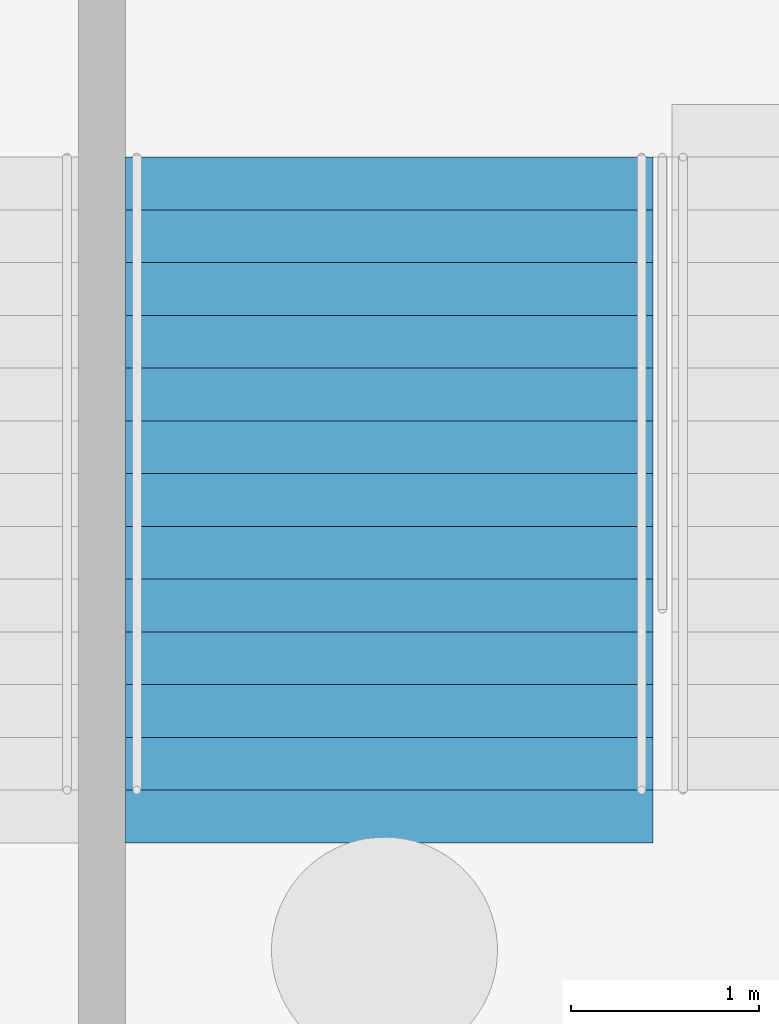
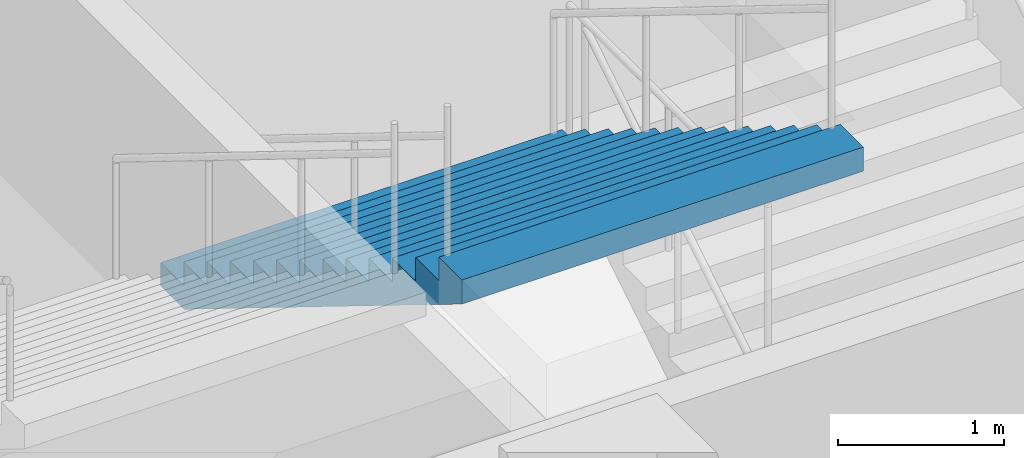
# One storey, part 104 of 115: 1 stair flight, 1 element without a shape of its own.
"""IFC4 building model written with IfcOpenShell, lengths in metres."""

from ifc_helpers import new_model, si_unit, direction, frame, origin, place, context, subcontext, project, spatial, faceted_brep, material, type_object, element, aggregate, save


model = new_model("IFC4")

# Units and contexts
model_context = context("Model", 3, precision=1e-05, world=origin(), true_north=direction((0.0, 1.0)))
body_context = subcontext(model_context, "Body", "Model", "MODEL_VIEW")
ifc_project = project(units=[si_unit("LENGTHUNIT", "METRE"), si_unit("AREAUNIT", "SQUARE_METRE"), si_unit("VOLUMEUNIT", "CUBIC_METRE"), si_unit("PLANEANGLEUNIT", "RADIAN"), si_unit("MASSUNIT", "GRAM", prefix="KILO")], contexts=[model_context])

# Site, building, storey
site_placement = place(None, origin())
site = spatial("IfcSite", under=ifc_project, at=site_placement, CompositionType="ELEMENT")
building_placement = place(site_placement, origin())
building = spatial("IfcBuilding", under=site, at=building_placement, Name="Ogive Plaza Stadium", CompositionType="ELEMENT")
storey_placement = place(building_placement, frame((0.0, 0.0, -4.5)))
storey = spatial("IfcBuildingStorey", under=building, at=storey_placement, Name="B1", CompositionType="ELEMENT", Elevation=-4.5)

# Stair, stair flight
ifc_material_1 = material(Name="Concrete C40/50", Category="concrete")
stair_type = type_object("IfcStairType", Name="Exit stair", PredefinedType="STRAIGHT_RUN_STAIR", material=ifc_material_1)
stair_placement = place(storey_placement, origin())
stair = element("IfcStair", 1, at=stair_placement, inside=storey, type_object=stair_type, Name="Exit stair ST36A B1 to L00", PredefinedType="STRAIGHT_RUN_STAIR")
ifc_material_2 = material(Name="Concrete C40/50", Category="concrete")
stair_flight_type = type_object("IfcStairFlightType", Name="Exit stair flight", PredefinedType="STRAIGHT", material=ifc_material_2)
stair_flight_placement = place(storey_placement, frame((21.925048828125, 98.2099609375, 2.25), z_axis=(0.0, 0.0, 1.0), x_axis=(0.0, -1.0, 0.0)))
stair_flight = element("IfcStairFlight", 2, at=stair_flight_placement, type_object=stair_flight_type, Name="ST36A flight 2", NumberOfRisers=13, NumberOfTreads=12, PredefinedType="STRAIGHT", RiserHeight=0.173076923, TreadLength=0.28, context=body_context, shape_type="Brep", body=[
    faceted_brep([(0.28515625, -1.39990234375, 0.0), (3.639892578125, -1.39990234375, 2.07373046875), (3.639892578125, -1.39990234375, 2.25), (3.360107421875, -1.39990234375, 2.25), (3.360107421875, -1.39990234375, 2.076904296875), (3.080078125, -1.39990234375, 2.076904296875), (3.080078125, -1.39990234375, 1.90380859375), (2.800048828125, -1.39990234375, 1.90380859375), (2.800048828125, -1.39990234375, 1.730712890625), (2.52001953125, -1.39990234375, 1.730712890625), (2.52001953125, -1.39990234375, 1.5576171875), (2.239990234375, -1.39990234375, 1.5576171875), (2.239990234375, -1.39990234375, 1.384521484375), (1.9599609375, -1.39990234375, 1.384521484375), (1.9599609375, -1.39990234375, 1.21142578125), (1.679931640625, -1.39990234375, 1.21142578125), (1.679931640625, -1.39990234375, 1.03857421875), (1.39990234375, -1.39990234375, 1.03857421875), (1.39990234375, -1.39990234375, 0.865478515625), (1.1201171875, -1.39990234375, 0.865478515625), (1.1201171875, -1.39990234375, 0.6923828125), (0.840087890625, -1.39990234375, 0.6923828125), (0.840087890625, -1.39990234375, 0.519287109375), (0.56005859375, -1.39990234375, 0.519287109375), (0.56005859375, -1.39990234375, 0.34619140625), (0.280029296875, -1.39990234375, 0.34619140625), (0.280029296875, -1.39990234375, 0.173095703125), (0.0, -1.39990234375, 0.173095703125), (0.0, -1.39990234375, 0.0), (0.0, 1.39990234375, 0.0), (0.0, 1.39990234375, 0.173095703125), (0.280029296875, 1.39990234375, 0.173095703125), (0.280029296875, 1.39990234375, 0.34619140625), (0.56005859375, 1.39990234375, 0.34619140625), (0.56005859375, 1.39990234375, 0.519287109375), (0.840087890625, 1.39990234375, 0.519287109375), (0.840087890625, 1.39990234375, 0.6923828125), (1.1201171875, 1.39990234375, 0.6923828125), (1.1201171875, 1.39990234375, 0.865478515625), (1.39990234375, 1.39990234375, 0.865478515625), (1.39990234375, 1.39990234375, 1.03857421875), (1.679931640625, 1.39990234375, 1.03857421875), (1.679931640625, 1.39990234375, 1.21142578125), (1.9599609375, 1.39990234375, 1.21142578125), (1.9599609375, 1.39990234375, 1.384521484375), (2.239990234375, 1.39990234375, 1.384521484375), (2.239990234375, 1.39990234375, 1.5576171875), (2.52001953125, 1.39990234375, 1.5576171875), (2.52001953125, 1.39990234375, 1.730712890625), (2.800048828125, 1.39990234375, 1.730712890625), (2.800048828125, 1.39990234375, 1.90380859375), (3.080078125, 1.39990234375, 1.90380859375), (3.080078125, 1.39990234375, 2.076904296875), (3.360107421875, 1.39990234375, 2.076904296875), (3.360107421875, 1.39990234375, 2.25), (3.639892578125, 1.39990234375, 2.25), (3.639892578125, 1.39990234375, 2.07373046875), (0.28515625, 1.39990234375, 0.0), (0.28515625, -1.0888671875, 0.0), (3.639892578125, -1.0888671875, 2.07373046875), (0.28515625, -0.77783203125, 0.0), (3.639892578125, -0.77783203125, 2.07373046875), (0.28515625, -0.466796875, 0.0), (3.639892578125, -0.466796875, 2.07373046875), (0.28515625, -0.155517578125, 0.0), (3.639892578125, -0.155517578125, 2.07373046875), (0.28515625, 0.155517578125, 0.0), (3.639892578125, 0.155517578125, 2.07373046875), (0.28515625, 0.466796875, 0.0), (3.639892578125, 0.466796875, 2.07373046875), (0.28515625, 0.77783203125, 0.0), (3.639892578125, 0.77783203125, 2.07373046875), (0.28515625, 1.0888671875, 0.0), (3.639892578125, 1.0888671875, 2.07373046875), (3.639892578125, -1.0888671875, 2.25), (3.639892578125, -0.77783203125, 2.25), (3.639892578125, -0.466796875, 2.25), (3.639892578125, -0.155517578125, 2.25), (3.639892578125, 0.155517578125, 2.25), (3.639892578125, 0.466796875, 2.25), (3.639892578125, 0.77783203125, 2.25), (3.639892578125, 1.0888671875, 2.25), (3.360107421875, -1.0888671875, 2.25), (3.360107421875, -0.77783203125, 2.25), (3.360107421875, -0.466796875, 2.25), (3.360107421875, -0.155517578125, 2.25), (3.360107421875, 0.155517578125, 2.25), (3.360107421875, 0.466796875, 2.25), (3.360107421875, 0.77783203125, 2.25), (3.360107421875, 1.0888671875, 2.25), (3.360107421875, -1.0888671875, 2.076904296875), (3.360107421875, -0.77783203125, 2.076904296875), (3.360107421875, -0.466796875, 2.076904296875), (3.360107421875, -0.155517578125, 2.076904296875), (3.360107421875, 0.155517578125, 2.076904296875), (3.360107421875, 0.466796875, 2.076904296875), (3.360107421875, 0.77783203125, 2.076904296875), (3.360107421875, 1.0888671875, 2.076904296875), (3.080078125, -1.0888671875, 2.076904296875), (3.080078125, -0.77783203125, 2.076904296875), (3.080078125, -0.466796875, 2.076904296875), (3.080078125, -0.155517578125, 2.076904296875), (3.080078125, 0.155517578125, 2.076904296875), (3.080078125, 0.466796875, 2.076904296875), (3.080078125, 0.77783203125, 2.076904296875), (3.080078125, 1.0888671875, 2.076904296875), (3.080078125, -1.0888671875, 1.90380859375), (3.080078125, -0.77783203125, 1.90380859375), (3.080078125, -0.466796875, 1.90380859375), (3.080078125, -0.155517578125, 1.90380859375), (3.080078125, 0.155517578125, 1.90380859375), (3.080078125, 0.466796875, 1.90380859375), (3.080078125, 0.77783203125, 1.90380859375), (3.080078125, 1.0888671875, 1.90380859375), (2.800048828125, -1.0888671875, 1.90380859375), (2.800048828125, -0.77783203125, 1.90380859375), (2.800048828125, -0.466796875, 1.90380859375), (2.800048828125, -0.155517578125, 1.90380859375), (2.800048828125, 0.155517578125, 1.90380859375), (2.800048828125, 0.466796875, 1.90380859375), (2.800048828125, 0.77783203125, 1.90380859375), (2.800048828125, 1.0888671875, 1.90380859375), (2.800048828125, -1.0888671875, 1.730712890625), (2.800048828125, -0.77783203125, 1.730712890625), (2.800048828125, -0.466796875, 1.730712890625), (2.800048828125, -0.155517578125, 1.730712890625), (2.800048828125, 0.155517578125, 1.730712890625), (2.800048828125, 0.466796875, 1.730712890625), (2.800048828125, 0.77783203125, 1.730712890625), (2.800048828125, 1.0888671875, 1.730712890625), (2.52001953125, -1.0888671875, 1.730712890625), (2.52001953125, -0.77783203125, 1.730712890625), (2.52001953125, -0.466796875, 1.730712890625), (2.52001953125, -0.155517578125, 1.730712890625), (2.52001953125, 0.155517578125, 1.730712890625), (2.52001953125, 0.466796875, 1.730712890625), (2.52001953125, 0.77783203125, 1.730712890625), (2.52001953125, 1.0888671875, 1.730712890625), (2.52001953125, -1.0888671875, 1.5576171875), (2.52001953125, -0.77783203125, 1.5576171875), (2.52001953125, -0.466796875, 1.5576171875), (2.52001953125, -0.155517578125, 1.5576171875), (2.52001953125, 0.155517578125, 1.5576171875), (2.52001953125, 0.466796875, 1.5576171875), (2.52001953125, 0.77783203125, 1.5576171875), (2.52001953125, 1.0888671875, 1.5576171875), (2.239990234375, -1.0888671875, 1.5576171875), (2.239990234375, -0.77783203125, 1.5576171875), (2.239990234375, -0.466796875, 1.5576171875), (2.239990234375, -0.155517578125, 1.5576171875), (2.239990234375, 0.155517578125, 1.5576171875), (2.239990234375, 0.466796875, 1.5576171875), (2.239990234375, 0.77783203125, 1.5576171875), (2.239990234375, 1.0888671875, 1.5576171875), (2.239990234375, -1.0888671875, 1.384521484375), (2.239990234375, -0.77783203125, 1.384521484375), (2.239990234375, -0.466796875, 1.384521484375), (2.239990234375, -0.155517578125, 1.384521484375), (2.239990234375, 0.155517578125, 1.384521484375), (2.239990234375, 0.466796875, 1.384521484375), (2.239990234375, 0.77783203125, 1.384521484375), (2.239990234375, 1.0888671875, 1.384521484375), (1.9599609375, -1.0888671875, 1.384521484375), (1.9599609375, -0.77783203125, 1.384521484375), (1.9599609375, -0.466796875, 1.384521484375), (1.9599609375, -0.155517578125, 1.384521484375), (1.9599609375, 0.155517578125, 1.384521484375), (1.9599609375, 0.466796875, 1.384521484375), (1.9599609375, 0.77783203125, 1.384521484375), (1.9599609375, 1.0888671875, 1.384521484375), (1.9599609375, -1.0888671875, 1.21142578125), (1.9599609375, -0.77783203125, 1.21142578125), (1.9599609375, -0.466796875, 1.21142578125), (1.9599609375, -0.155517578125, 1.21142578125), (1.9599609375, 0.155517578125, 1.21142578125), (1.9599609375, 0.466796875, 1.21142578125), (1.9599609375, 0.77783203125, 1.21142578125), (1.9599609375, 1.0888671875, 1.21142578125), (1.679931640625, -1.0888671875, 1.21142578125), (1.679931640625, -0.77783203125, 1.21142578125), (1.679931640625, -0.466796875, 1.21142578125), (1.679931640625, -0.155517578125, 1.21142578125), (1.679931640625, 0.155517578125, 1.21142578125), (1.679931640625, 0.466796875, 1.21142578125), (1.679931640625, 0.77783203125, 1.21142578125), (1.679931640625, 1.0888671875, 1.21142578125), (1.679931640625, -1.0888671875, 1.03857421875), (1.679931640625, -0.77783203125, 1.03857421875), (1.679931640625, -0.466796875, 1.03857421875), (1.679931640625, -0.155517578125, 1.03857421875), (1.679931640625, 0.155517578125, 1.03857421875), (1.679931640625, 0.466796875, 1.03857421875), (1.679931640625, 0.77783203125, 1.03857421875), (1.679931640625, 1.0888671875, 1.03857421875), (1.39990234375, -1.0888671875, 1.03857421875), (1.39990234375, -0.77783203125, 1.03857421875), (1.39990234375, -0.466796875, 1.03857421875), (1.39990234375, -0.155517578125, 1.03857421875), (1.39990234375, 0.155517578125, 1.03857421875), (1.39990234375, 0.466796875, 1.03857421875), (1.39990234375, 0.77783203125, 1.03857421875), (1.39990234375, 1.0888671875, 1.03857421875), (1.39990234375, -1.0888671875, 0.865478515625), (1.39990234375, -0.77783203125, 0.865478515625), (1.39990234375, -0.466796875, 0.865478515625), (1.39990234375, -0.155517578125, 0.865478515625), (1.39990234375, 0.155517578125, 0.865478515625), (1.39990234375, 0.466796875, 0.865478515625), (1.39990234375, 0.77783203125, 0.865478515625), (1.39990234375, 1.0888671875, 0.865478515625), (1.1201171875, -1.0888671875, 0.865478515625), (1.1201171875, -0.77783203125, 0.865478515625), (1.1201171875, -0.466796875, 0.865478515625), (1.1201171875, -0.155517578125, 0.865478515625), (1.1201171875, 0.155517578125, 0.865478515625), (1.1201171875, 0.466796875, 0.865478515625), (1.1201171875, 0.77783203125, 0.865478515625), (1.1201171875, 1.0888671875, 0.865478515625), (1.1201171875, -1.0888671875, 0.6923828125), (1.1201171875, -0.77783203125, 0.6923828125), (1.1201171875, -0.466796875, 0.6923828125), (1.1201171875, -0.155517578125, 0.6923828125), (1.1201171875, 0.155517578125, 0.6923828125), (1.1201171875, 0.466796875, 0.6923828125), (1.1201171875, 0.77783203125, 0.6923828125), (1.1201171875, 1.0888671875, 0.6923828125), (0.840087890625, -1.0888671875, 0.6923828125), (0.840087890625, -0.77783203125, 0.6923828125), (0.840087890625, -0.466796875, 0.6923828125), (0.840087890625, -0.155517578125, 0.6923828125), (0.840087890625, 0.155517578125, 0.6923828125), (0.840087890625, 0.466796875, 0.6923828125), (0.840087890625, 0.77783203125, 0.6923828125), (0.840087890625, 1.0888671875, 0.6923828125), (0.840087890625, -1.0888671875, 0.519287109375), (0.840087890625, -0.77783203125, 0.519287109375), (0.840087890625, -0.466796875, 0.519287109375), (0.840087890625, -0.155517578125, 0.519287109375), (0.840087890625, 0.155517578125, 0.519287109375), (0.840087890625, 0.466796875, 0.519287109375), (0.840087890625, 0.77783203125, 0.519287109375), (0.840087890625, 1.0888671875, 0.519287109375), (0.56005859375, -1.0888671875, 0.519287109375), (0.56005859375, -0.77783203125, 0.519287109375), (0.56005859375, -0.466796875, 0.519287109375), (0.56005859375, -0.155517578125, 0.519287109375), (0.56005859375, 0.155517578125, 0.519287109375), (0.56005859375, 0.466796875, 0.519287109375), (0.56005859375, 0.77783203125, 0.519287109375), (0.56005859375, 1.0888671875, 0.519287109375), (0.56005859375, -1.0888671875, 0.34619140625), (0.56005859375, -0.77783203125, 0.34619140625), (0.56005859375, -0.466796875, 0.34619140625), (0.56005859375, -0.155517578125, 0.34619140625), (0.56005859375, 0.155517578125, 0.34619140625), (0.56005859375, 0.466796875, 0.34619140625), (0.56005859375, 0.77783203125, 0.34619140625), (0.56005859375, 1.0888671875, 0.34619140625), (0.280029296875, -1.0888671875, 0.34619140625), (0.280029296875, -0.77783203125, 0.34619140625), (0.280029296875, -0.466796875, 0.34619140625), (0.280029296875, -0.155517578125, 0.34619140625), (0.280029296875, 0.155517578125, 0.34619140625), (0.280029296875, 0.466796875, 0.34619140625), (0.280029296875, 0.77783203125, 0.34619140625), (0.280029296875, 1.0888671875, 0.34619140625), (0.280029296875, -1.0888671875, 0.173095703125), (0.280029296875, -0.77783203125, 0.173095703125), (0.280029296875, -0.466796875, 0.173095703125), (0.280029296875, -0.155517578125, 0.173095703125), (0.280029296875, 0.155517578125, 0.173095703125), (0.280029296875, 0.466796875, 0.173095703125), (0.280029296875, 0.77783203125, 0.173095703125), (0.280029296875, 1.0888671875, 0.173095703125), (0.0, -1.0888671875, 0.173095703125), (0.0, -0.77783203125, 0.173095703125), (0.0, -0.466796875, 0.173095703125), (0.0, -0.155517578125, 0.173095703125), (0.0, 0.155517578125, 0.173095703125), (0.0, 0.466796875, 0.173095703125), (0.0, 0.77783203125, 0.173095703125), (0.0, 1.0888671875, 0.173095703125), (0.0, -1.0888671875, 0.0), (0.0, -0.77783203125, 0.0), (0.0, -0.466796875, 0.0), (0.0, -0.155517578125, 0.0), (0.0, 0.155517578125, 0.0), (0.0, 0.466796875, 0.0), (0.0, 0.77783203125, 0.0), (0.0, 1.0888671875, 0.0)], [[[0, 1, 2, 3, 4, 5, 6, 7, 8, 9, 10, 11, 12, 13, 14, 15, 16, 17, 18, 19, 20, 21, 22, 23, 24, 25, 26, 27, 28]], [[29, 30, 31, 32, 33, 34, 35, 36, 37, 38, 39, 40, 41, 42, 43, 44, 45, 46, 47, 48, 49, 50, 51, 52, 53, 54, 55, 56, 57]], [[0, 58, 59, 1]], [[58, 60, 61, 59]], [[60, 62, 63, 61]], [[62, 64, 65, 63]], [[64, 66, 67, 65]], [[66, 68, 69, 67]], [[68, 70, 71, 69]], [[70, 72, 73, 71]], [[72, 57, 56, 73]], [[1, 59, 74, 2]], [[59, 61, 75, 74]], [[61, 63, 76, 75]], [[63, 65, 77, 76]], [[65, 67, 78, 77]], [[67, 69, 79, 78]], [[69, 71, 80, 79]], [[71, 73, 81, 80]], [[73, 56, 55, 81]], [[2, 74, 82, 3]], [[74, 75, 83, 82]], [[75, 76, 84, 83]], [[76, 77, 85, 84]], [[77, 78, 86, 85]], [[78, 79, 87, 86]], [[79, 80, 88, 87]], [[80, 81, 89, 88]], [[81, 55, 54, 89]], [[3, 82, 90, 4]], [[82, 83, 91, 90]], [[83, 84, 92, 91]], [[84, 85, 93, 92]], [[85, 86, 94, 93]], [[86, 87, 95, 94]], [[87, 88, 96, 95]], [[88, 89, 97, 96]], [[89, 54, 53, 97]], [[4, 90, 98, 5]], [[90, 91, 99, 98]], [[91, 92, 100, 99]], [[92, 93, 101, 100]], [[93, 94, 102, 101]], [[94, 95, 103, 102]], [[95, 96, 104, 103]], [[96, 97, 105, 104]], [[97, 53, 52, 105]], [[5, 98, 106, 6]], [[98, 99, 107, 106]], [[99, 100, 108, 107]], [[100, 101, 109, 108]], [[101, 102, 110, 109]], [[102, 103, 111, 110]], [[103, 104, 112, 111]], [[104, 105, 113, 112]], [[105, 52, 51, 113]], [[6, 106, 114, 7]], [[106, 107, 115, 114]], [[107, 108, 116, 115]], [[108, 109, 117, 116]], [[109, 110, 118, 117]], [[110, 111, 119, 118]], [[111, 112, 120, 119]], [[112, 113, 121, 120]], [[113, 51, 50, 121]], [[7, 114, 122, 8]], [[114, 115, 123, 122]], [[115, 116, 124, 123]], [[116, 117, 125, 124]], [[117, 118, 126, 125]], [[118, 119, 127, 126]], [[119, 120, 128, 127]], [[120, 121, 129, 128]], [[121, 50, 49, 129]], [[8, 122, 130, 9]], [[122, 123, 131, 130]], [[123, 124, 132, 131]], [[124, 125, 133, 132]], [[125, 126, 134, 133]], [[126, 127, 135, 134]], [[127, 128, 136, 135]], [[128, 129, 137, 136]], [[129, 49, 48, 137]], [[9, 130, 138, 10]], [[130, 131, 139, 138]], [[131, 132, 140, 139]], [[132, 133, 141, 140]], [[133, 134, 142, 141]], [[134, 135, 143, 142]], [[135, 136, 144, 143]], [[136, 137, 145, 144]], [[137, 48, 47, 145]], [[10, 138, 146, 11]], [[138, 139, 147, 146]], [[139, 140, 148, 147]], [[140, 141, 149, 148]], [[141, 142, 150, 149]], [[142, 143, 151, 150]], [[143, 144, 152, 151]], [[144, 145, 153, 152]], [[145, 47, 46, 153]], [[11, 146, 154, 12]], [[146, 147, 155, 154]], [[147, 148, 156, 155]], [[148, 149, 157, 156]], [[149, 150, 158, 157]], [[150, 151, 159, 158]], [[151, 152, 160, 159]], [[152, 153, 161, 160]], [[153, 46, 45, 161]], [[12, 154, 162, 13]], [[154, 155, 163, 162]], [[155, 156, 164, 163]], [[156, 157, 165, 164]], [[157, 158, 166, 165]], [[158, 159, 167, 166]], [[159, 160, 168, 167]], [[160, 161, 169, 168]], [[161, 45, 44, 169]], [[13, 162, 170, 14]], [[162, 163, 171, 170]], [[163, 164, 172, 171]], [[164, 165, 173, 172]], [[165, 166, 174, 173]], [[166, 167, 175, 174]], [[167, 168, 176, 175]], [[168, 169, 177, 176]], [[169, 44, 43, 177]], [[14, 170, 178, 15]], [[170, 171, 179, 178]], [[171, 172, 180, 179]], [[172, 173, 181, 180]], [[173, 174, 182, 181]], [[174, 175, 183, 182]], [[175, 176, 184, 183]], [[176, 177, 185, 184]], [[177, 43, 42, 185]], [[15, 178, 186, 16]], [[178, 179, 187, 186]], [[179, 180, 188, 187]], [[180, 181, 189, 188]], [[181, 182, 190, 189]], [[182, 183, 191, 190]], [[183, 184, 192, 191]], [[184, 185, 193, 192]], [[185, 42, 41, 193]], [[16, 186, 194, 17]], [[186, 187, 195, 194]], [[187, 188, 196, 195]], [[188, 189, 197, 196]], [[189, 190, 198, 197]], [[190, 191, 199, 198]], [[191, 192, 200, 199]], [[192, 193, 201, 200]], [[193, 41, 40, 201]], [[17, 194, 202, 18]], [[194, 195, 203, 202]], [[195, 196, 204, 203]], [[196, 197, 205, 204]], [[197, 198, 206, 205]], [[198, 199, 207, 206]], [[199, 200, 208, 207]], [[200, 201, 209, 208]], [[201, 40, 39, 209]], [[18, 202, 210, 19]], [[202, 203, 211, 210]], [[203, 204, 212, 211]], [[204, 205, 213, 212]], [[205, 206, 214, 213]], [[206, 207, 215, 214]], [[207, 208, 216, 215]], [[208, 209, 217, 216]], [[209, 39, 38, 217]], [[19, 210, 218, 20]], [[210, 211, 219, 218]], [[211, 212, 220, 219]], [[212, 213, 221, 220]], [[213, 214, 222, 221]], [[214, 215, 223, 222]], [[215, 216, 224, 223]], [[216, 217, 225, 224]], [[217, 38, 37, 225]], [[20, 218, 226, 21]], [[218, 219, 227, 226]], [[219, 220, 228, 227]], [[220, 221, 229, 228]], [[221, 222, 230, 229]], [[222, 223, 231, 230]], [[223, 224, 232, 231]], [[224, 225, 233, 232]], [[225, 37, 36, 233]], [[21, 226, 234, 22]], [[226, 227, 235, 234]], [[227, 228, 236, 235]], [[228, 229, 237, 236]], [[229, 230, 238, 237]], [[230, 231, 239, 238]], [[231, 232, 240, 239]], [[232, 233, 241, 240]], [[233, 36, 35, 241]], [[22, 234, 242, 23]], [[234, 235, 243, 242]], [[235, 236, 244, 243]], [[236, 237, 245, 244]], [[237, 238, 246, 245]], [[238, 239, 247, 246]], [[239, 240, 248, 247]], [[240, 241, 249, 248]], [[241, 35, 34, 249]], [[23, 242, 250, 24]], [[242, 243, 251, 250]], [[243, 244, 252, 251]], [[244, 245, 253, 252]], [[245, 246, 254, 253]], [[246, 247, 255, 254]], [[247, 248, 256, 255]], [[248, 249, 257, 256]], [[249, 34, 33, 257]], [[24, 250, 258, 25]], [[250, 251, 259, 258]], [[251, 252, 260, 259]], [[252, 253, 261, 260]], [[253, 254, 262, 261]], [[254, 255, 263, 262]], [[255, 256, 264, 263]], [[256, 257, 265, 264]], [[257, 33, 32, 265]], [[25, 258, 266, 26]], [[258, 259, 267, 266]], [[259, 260, 268, 267]], [[260, 261, 269, 268]], [[261, 262, 270, 269]], [[262, 263, 271, 270]], [[263, 264, 272, 271]], [[264, 265, 273, 272]], [[265, 32, 31, 273]], [[26, 266, 274, 27]], [[266, 267, 275, 274]], [[267, 268, 276, 275]], [[268, 269, 277, 276]], [[269, 270, 278, 277]], [[270, 271, 279, 278]], [[271, 272, 280, 279]], [[272, 273, 281, 280]], [[273, 31, 30, 281]], [[27, 274, 282, 28]], [[274, 275, 283, 282]], [[275, 276, 284, 283]], [[276, 277, 285, 284]], [[277, 278, 286, 285]], [[278, 279, 287, 286]], [[279, 280, 288, 287]], [[280, 281, 289, 288]], [[281, 30, 29, 289]], [[28, 282, 58, 0]], [[282, 283, 60, 58]], [[283, 284, 62, 60]], [[284, 285, 64, 62]], [[285, 286, 66, 64]], [[286, 287, 68, 66]], [[287, 288, 70, 68]], [[288, 289, 72, 70]], [[289, 29, 57, 72]]]),
])
aggregate(stair, [stair_flight])

save(model, "model.ifc")
